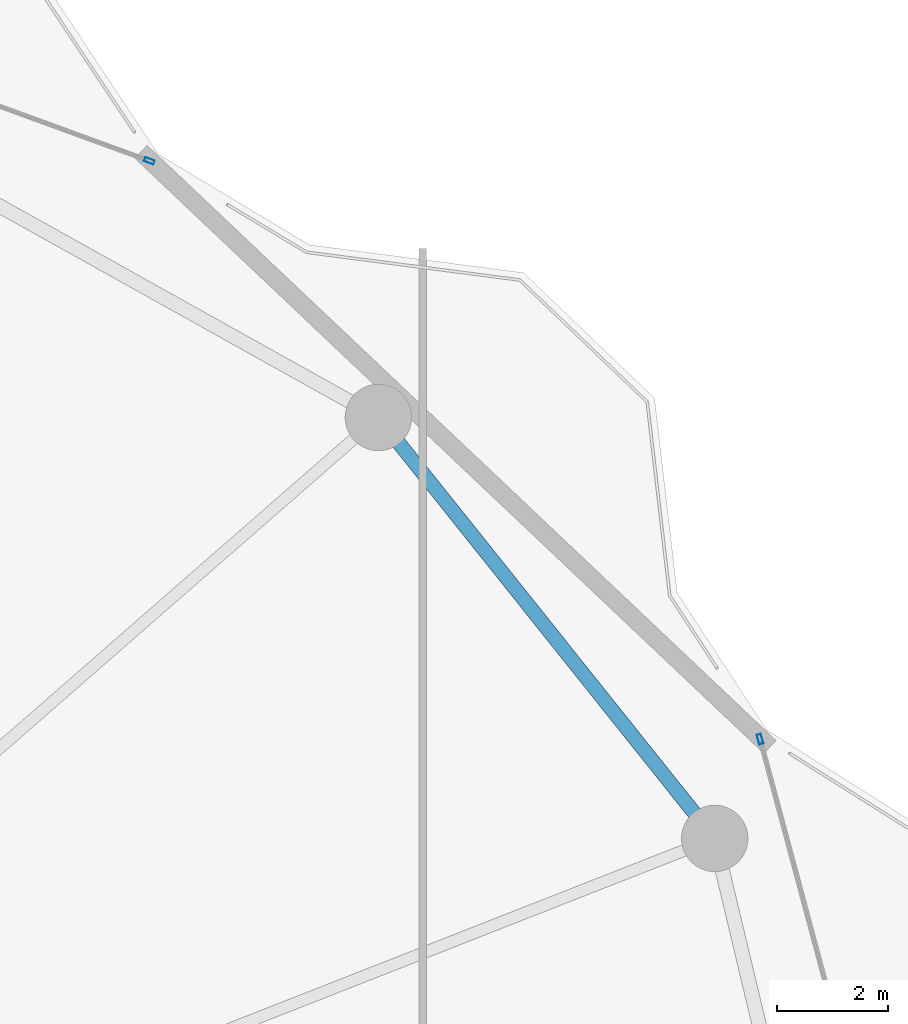
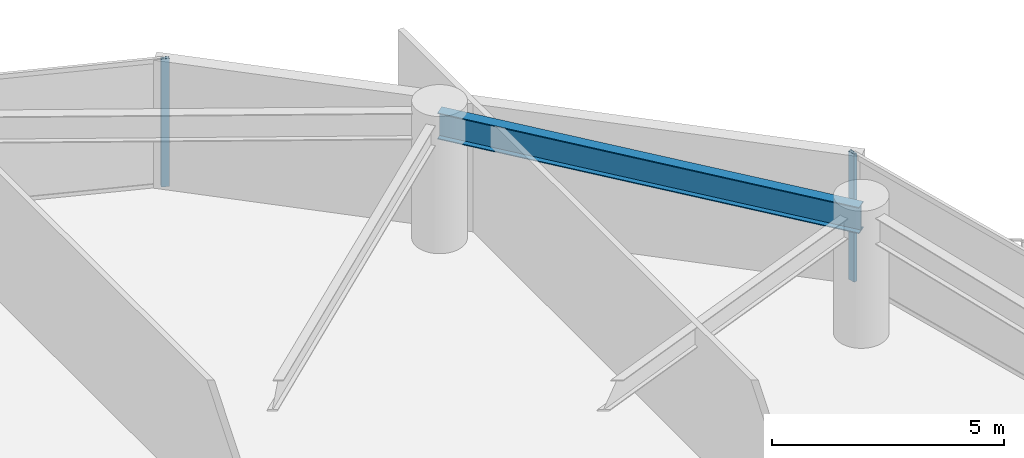
# One storey, part 21 of 28: 2 members, 1 beam, 2 elements without a shape of their own.
"""IFC4 building model written with IfcOpenShell, lengths in metres."""

from ifc_helpers import new_model, si_unit, direction, frame, origin, origin_2d, place, context, subcontext, project, spatial, hollow_rectangle, i_section, extrude, material, layer, layer_set, material_profile, profile_set, type_object, element, aggregate, save


model = new_model("IFC4")

# Units and contexts
model_context = context("Model", 3, precision=1e-05, world=origin(), true_north=direction((0.0, 1.0)))
body_context = subcontext(model_context, "Body", "Model", "MODEL_VIEW")
ifc_project = project(units=[si_unit("LENGTHUNIT", "METRE"), si_unit("AREAUNIT", "SQUARE_METRE"), si_unit("VOLUMEUNIT", "CUBIC_METRE"), si_unit("PLANEANGLEUNIT", "RADIAN"), si_unit("MASSUNIT", "GRAM", prefix="KILO")], contexts=[model_context])

# Site, building, storey
site_placement = place(None, origin())
site = spatial("IfcSite", under=ifc_project, at=site_placement, CompositionType="ELEMENT")
building_placement = place(site_placement, origin())
building = spatial("IfcBuilding", under=site, at=building_placement, Name="Kazevale Care Tower and Concert Hall", CompositionType="ELEMENT")
storey_placement = place(building_placement, frame((0.0, 0.0, 109.800048828125)))
storey = spatial("IfcBuildingStorey", under=building, at=storey_placement, Name="L28", CompositionType="ELEMENT", Elevation=109.800048828125)

# Curtain wall, member
ifc_material_1 = material(Name="Aluminium 6063-T6 and Low-E Glass", Category="aluminium")
ifc_layer_1 = layer(ifc_material_1, 0.179931640625)
ifc_layer_set_1 = layer_set([ifc_layer_1], Name="Aluminium 6063-T6 and Low-E Glass")
curtain_wall_type_1 = type_object("IfcCurtainWallType", Name="Convex Checkerboard Finned Curtain Wall CW-2", PredefinedType="NOTDEFINED", material=ifc_layer_set_1)
curtain_wall_1_placement = place(storey_placement, origin())
curtain_wall_1 = element("IfcCurtainWall", 1, at=curtain_wall_1_placement, inside=storey, type_object=curtain_wall_type_1, Name="cw:L28:f16", PredefinedType="NOTDEFINED")
ifc_material_2 = material(Name="Aluminium 6063-T6", Category="aluminium")
ifc_material_profile_1 = material_profile(ifc_material_2, hollow_rectangle(XDim=0.080078125, YDim=0.179931640625, WallThickness=0.0048828125, at=origin_2d()), Name="ALU80x180x5")
ifc_profile_set_1 = profile_set([ifc_material_profile_1], Name="Aluminium 6063-T6")
member_type_1 = type_object("IfcMemberType", Name="CW-2 Mullion ALU80x180x5", PredefinedType="MULLION", material=ifc_profile_set_1)
member_1_placement = place(storey_placement, frame((60.689453125, 59.2177734375, 0.0), z_axis=(0.0, 0.0, 1.0), x_axis=(0.343143453498, 0.939283008641, 0.0)))
member_1 = element("IfcMember", 2, at=member_1_placement, type_object=member_type_1, Name="CW-2 mullion 2", PredefinedType="MULLION", context=body_context, shape_type="SweptSolid", body=[
    extrude(hollow_rectangle(XDim=0.080078125, YDim=0.179931640625, WallThickness=0.0048828125, at=origin_2d()), origin(), (0.0, 0.0, 1.0), 3.35986328125),
])
aggregate(curtain_wall_1, [member_1])

ifc_layer_2 = layer(ifc_material_1, 0.179931640625)
ifc_layer_set_2 = layer_set([ifc_layer_2], Name="Aluminium 6063-T6 and Low-E Glass")
curtain_wall_type_2 = type_object("IfcCurtainWallType", Name="Waist & Upper Residential Curtain Wall CW-4", PredefinedType="NOTDEFINED", material=ifc_layer_set_2)
curtain_wall_2_placement = place(storey_placement, origin())
curtain_wall_2 = element("IfcCurtainWall", 3, at=curtain_wall_2_placement, inside=storey, type_object=curtain_wall_type_2, Name="cw:L28:f18", PredefinedType="NOTDEFINED")
ifc_material_profile_2 = material_profile(ifc_material_2, hollow_rectangle(XDim=0.080078125, YDim=0.179931640625, WallThickness=0.0048828125, at=origin_2d()), Name="ALU80x180x5")
ifc_profile_set_2 = profile_set([ifc_material_profile_2], Name="Aluminium 6063-T6")
member_type_2 = type_object("IfcMemberType", Name="CW-4 Mullion ALU80x180x5", PredefinedType="MULLION", material=ifc_profile_set_2)
member_2_placement = place(storey_placement, frame((71.73046875, 48.764404296875, 0.0), z_axis=(0.0, 0.0, 1.0), x_axis=(0.965806263229, 0.259264848961, 0.0)))
member_2 = element("IfcMember", 4, at=member_2_placement, type_object=member_type_2, Name="CW-4 mullion 1", PredefinedType="MULLION", context=body_context, shape_type="SweptSolid", body=[
    extrude(hollow_rectangle(XDim=0.080078125, YDim=0.179931640625, WallThickness=0.0048828125, at=origin_2d()), origin(), (0.0, 0.0, 1.0), 3.35986328125),
])
aggregate(curtain_wall_2, [member_2])

# Beam
ifc_material_3 = material(Name="Steel ASTM A572 Gr 50", Category="steel")
ifc_material_profile_3 = material_profile(ifc_material_3, i_section(OverallWidth=0.256103515625, OverallDepth=0.693115234375, WebThickness=0.014404296875, FlangeThickness=0.023681640625, at=origin_2d()), Name="W690x170")
ifc_profile_set_3 = profile_set([ifc_material_profile_3], Name="Steel ASTM A572 Gr 50")
beam_type = type_object("IfcBeamType", Name="Waist Ring Beam W690x170", PredefinedType="BEAM", material=ifc_profile_set_3)
beam_placement = place(storey_placement, frame((70.909912109375, 46.969970703125, 3.013427734375), z_axis=(-0.624178340034, 0.781281895242, 0.0), x_axis=(-0.781281895242, -0.624178340034, 0.0)))
element("IfcBeam", 5, at=beam_placement, inside=storey, type_object=beam_type, Name="beam:L28:ring:02", PredefinedType="BEAM", context=body_context, shape_type="SweptSolid", body=[
    extrude(i_section(OverallWidth=0.256103515625, OverallDepth=0.693115234375, WebThickness=0.014404296875, FlangeThickness=0.023681640625, at=origin_2d()), origin(), (0.0, 0.0, 1.0), 9.740478515625),
])

save(model, "model.ifc")
